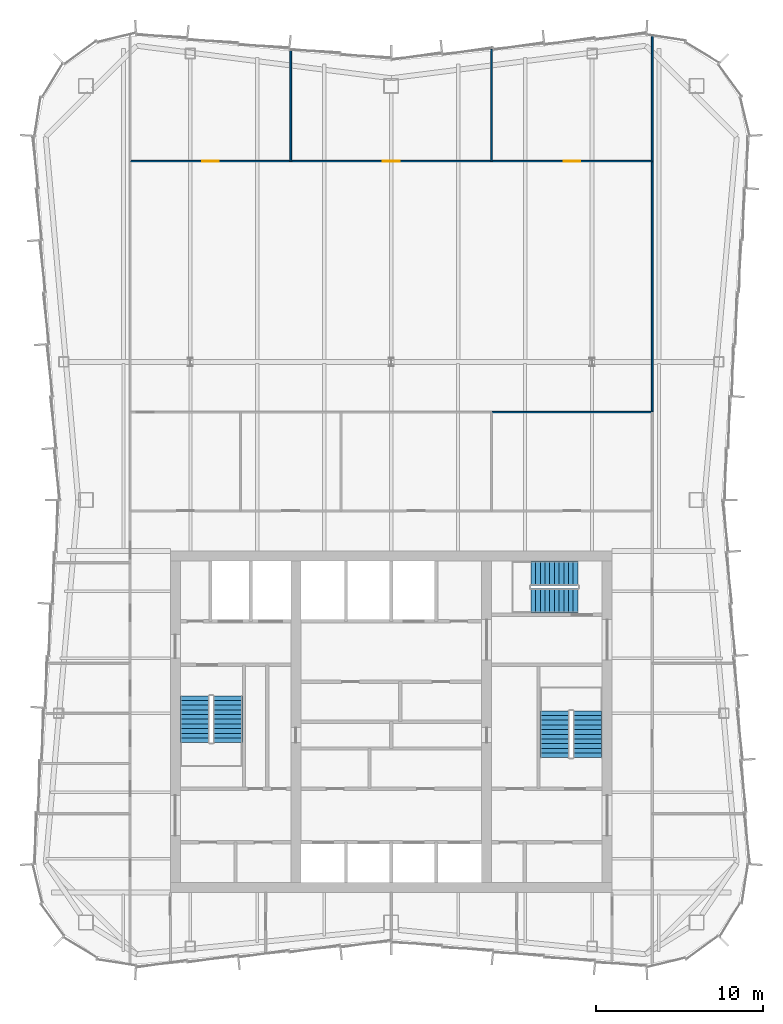
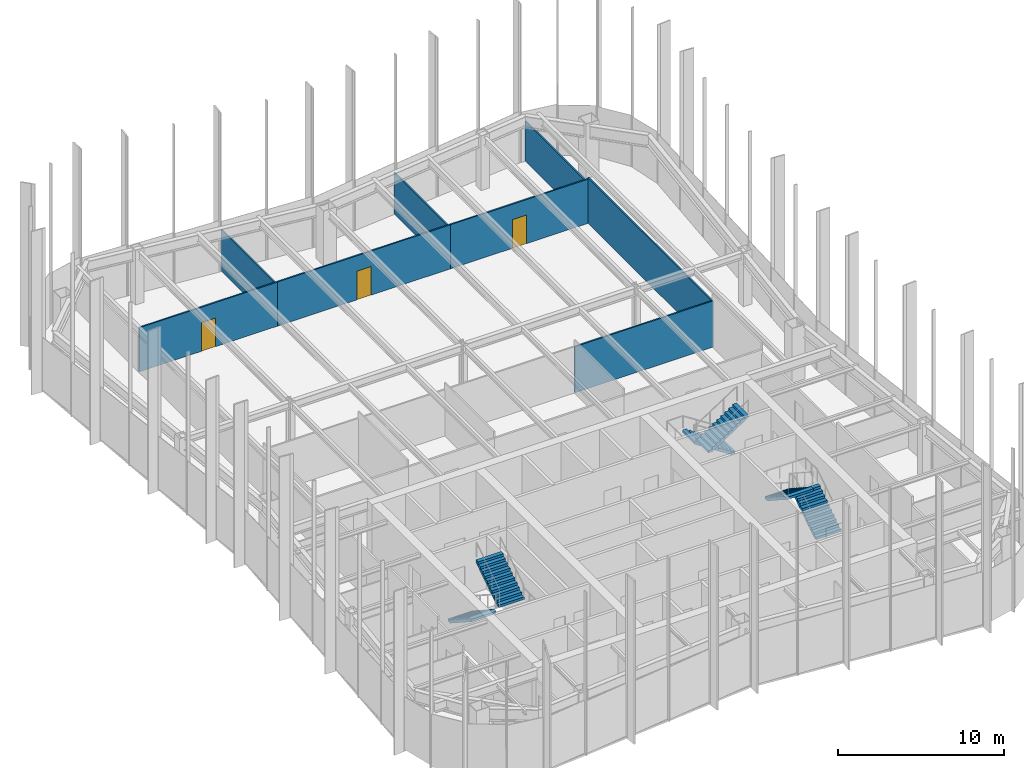
# One storey, part 12 of 13: 8 walls, 6 stair flights, 3 doors, 3 openings, 3 elements without a shape of their own.
"""IFC4 building model written with IfcOpenShell, lengths in metres."""

from ifc_helpers import new_model, si_unit, direction, frame, frame_2d, origin, place, context, subcontext, project, spatial, polyline, rectangle, outline, extrude, material, layer, layer_set, type_object, element, fill, aggregate, save


model = new_model("IFC4")

# Units and contexts
model_context = context("Model", 3, precision=1e-05, world=origin(), true_north=direction((0.0, 1.0)))
body_context = subcontext(model_context, "Body", "Model", "MODEL_VIEW")
ifc_project = project(units=[si_unit("LENGTHUNIT", "METRE"), si_unit("AREAUNIT", "SQUARE_METRE"), si_unit("VOLUMEUNIT", "CUBIC_METRE"), si_unit("PLANEANGLEUNIT", "RADIAN"), si_unit("MASSUNIT", "GRAM", prefix="KILO")], contexts=[model_context])

# Site, building, storey
site_placement = place(None, origin())
site = spatial("IfcSite", under=ifc_project, at=site_placement, CompositionType="ELEMENT")
building_placement = place(site_placement, origin())
building = spatial("IfcBuilding", under=site, at=building_placement, Name="Verdant Reach Tower", CompositionType="ELEMENT")
storey_placement = place(building_placement, frame((0.0, 0.0, 318.0)))
storey = spatial("IfcBuildingStorey", under=building, at=storey_placement, Name="L73", CompositionType="ELEMENT", Elevation=318.0)

# Walls
ifc_material_1 = material(Name="Gypsum board on steel studs", Category="steel")
ifc_layer = layer(ifc_material_1, 0.10009765625)
ifc_layer_set = layer_set([ifc_layer], Name="FL-W1 Partition 100")
wall_type = type_object("IfcWallType", Name="FL-W1 Partition 100", PredefinedType="PARTITIONING", material=ifc_layer_set)
wall_1_placement = place(storey_placement, frame((15.60009765625, 61.5, 0.0), z_axis=(0.0, 0.0, 1.0), x_axis=(0.0, -1.0, 0.0)))
element("IfcWall", 1, at=wall_1_placement, inside=storey, type_object=wall_type, Name="Partition 73.27", PredefinedType="PARTITIONING", context=body_context, shape_type="SweptSolid", body=[
    extrude(rectangle(XDim=15.0, YDim=0.10009765625, at=frame_2d((7.5, 0.0))), origin(), (0.0, 0.0, 1.0), 3.35009765625),
])
wall_2_placement = place(storey_placement, frame((15.60009765625, 69.010498046875, 0.0), z_axis=(0.0, 0.0, 1.0), x_axis=(0.0, -1.0, 0.0)))
element("IfcWall", 2, at=wall_2_placement, inside=storey, type_object=wall_type, Name="Partition 73.28", PredefinedType="PARTITIONING", context=body_context, shape_type="SweptSolid", body=[
    extrude(rectangle(XDim=7.510498046875, YDim=0.10009765625, at=frame_2d((3.75537109375, 0.0))), origin(), (0.0, 0.0, 1.0), 2.929931640625),
])
wall_3_placement = place(storey_placement, frame((15.60009765625, 46.5, 0.0), z_axis=(0.0, 0.0, 1.0), x_axis=(-1.0, 0.0, 0.0)))
element("IfcWall", 3, at=wall_3_placement, inside=storey, type_object=wall_type, Name="Partition 73.38", PredefinedType="PARTITIONING", context=body_context, shape_type="SweptSolid", body=[
    extrude(rectangle(XDim=9.60400390625, YDim=0.10009765625, at=frame_2d((4.802001953125, 0.0))), origin(), (0.0, 0.0, 1.0), 3.389892578125),
])

# Wall, opening, door
wall_4_placement = place(storey_placement, frame((-15.60009765625, 61.5, 0.0), z_axis=(0.0, 0.0, 1.0), x_axis=(1.0, 0.0, 0.0)))
wall_4 = element("IfcWall", 4, at=wall_4_placement, inside=storey, type_object=wall_type, Name="Partition 73.39", PredefinedType="PARTITIONING", context=body_context, shape_type="SweptSolid", body=[
    extrude(rectangle(XDim=9.60009765625, YDim=0.10009765625, at=frame_2d((4.800048828125, 0.0))), origin(), (0.0, 0.0, 1.0), 3.239990234375),
])
opening_1_placement = place(wall_4_placement, frame((4.300048828125, 0.0, 0.0)))
opening_1 = element("IfcOpeningElement", 5, at=opening_1_placement, cuts=wall_4, Name="Opening D3", PredefinedType="OPENING", context=body_context, shape_type="SweptSolid", body=[
    extrude(rectangle(XDim=1.0, YDim=2.10009765625, at=frame_2d((0.5, 1.050048828125))), frame((0.0, 0.06005859375, 0.0), z_axis=(0.0, -1.0, 0.0), x_axis=(1.0, 0.0, 0.0)), (0.0, 0.0, 1.0), 0.1201171875),
])
ifc_material_2 = material(Name="Painted timber door leaf", Category="wood")
door_type = type_object("IfcDoorType", Name="FL-D3 Door 1000x2100", OperationType="NOTDEFINED", PredefinedType="DOOR", material=ifc_material_2)
door_1_placement = place(opening_1_placement, origin())
door_1 = element("IfcDoor", 6, at=door_1_placement, inside=storey, type_object=door_type, Name="Door 73-019", OperationType="SINGLE_SWING_LEFT", OverallHeight=2.10009765625, OverallWidth=1.0, PredefinedType="DOOR", context=body_context, shape_type="SweptSolid", body=[
    extrude(rectangle(XDim=1.0, YDim=2.10009765625, at=frame_2d((0.5, 1.050048828125))), frame((0.0, 0.02490234375, 0.0), z_axis=(0.0, -1.0, 0.0), x_axis=(1.0, 0.0, 0.0)), (0.0, 0.0, 1.0), 0.050048828125),
])
fill(opening_1, door_1)

wall_5_placement = place(storey_placement, frame((-6.0, 61.5, 0.0), z_axis=(0.0, 0.0, 1.0), x_axis=(1.0, 0.0, 0.0)))
wall_5 = element("IfcWall", 7, at=wall_5_placement, inside=storey, type_object=wall_type, Name="Partition 73.40", PredefinedType="PARTITIONING", context=body_context, shape_type="SweptSolid", body=[
    extrude(rectangle(XDim=12.0, YDim=0.10009765625, at=frame_2d((6.0, 0.0))), origin(), (0.0, 0.0, 1.0), 3.239990234375),
])
opening_2_placement = place(wall_5_placement, frame((5.5, 0.0, 0.0)))
opening_2 = element("IfcOpeningElement", 8, at=opening_2_placement, cuts=wall_5, Name="Opening D3", PredefinedType="OPENING", context=body_context, shape_type="SweptSolid", body=[
    extrude(rectangle(XDim=1.0, YDim=2.10009765625, at=frame_2d((0.5, 1.050048828125))), frame((0.0, 0.06005859375, 0.0), z_axis=(0.0, -1.0, 0.0), x_axis=(1.0, 0.0, 0.0)), (0.0, 0.0, 1.0), 0.1201171875),
])
door_2_placement = place(opening_2_placement, origin())
door_2 = element("IfcDoor", 9, at=door_2_placement, inside=storey, type_object=door_type, Name="Door 73-020", OperationType="SINGLE_SWING_RIGHT", OverallHeight=2.10009765625, OverallWidth=1.0, PredefinedType="DOOR", context=body_context, shape_type="SweptSolid", body=[
    extrude(rectangle(XDim=1.0, YDim=2.10009765625, at=frame_2d((0.5, 1.050048828125))), frame((0.0, 0.02490234375, 0.0), z_axis=(0.0, -1.0, 0.0), x_axis=(1.0, 0.0, 0.0)), (0.0, 0.0, 1.0), 0.050048828125),
])
fill(opening_2, door_2)

wall_6_placement = place(storey_placement, frame((6.0, 61.5, 0.0), z_axis=(0.0, 0.0, 1.0), x_axis=(1.0, 0.0, 0.0)))
wall_6 = element("IfcWall", 10, at=wall_6_placement, inside=storey, type_object=wall_type, Name="Partition 73.41", PredefinedType="PARTITIONING", context=body_context, shape_type="SweptSolid", body=[
    extrude(rectangle(XDim=9.60009765625, YDim=0.10009765625, at=frame_2d((4.800048828125, 0.0))), origin(), (0.0, 0.0, 1.0), 3.239990234375),
])
opening_3_placement = place(wall_6_placement, frame((4.300048828125, 0.0, 0.0)))
opening_3 = element("IfcOpeningElement", 11, at=opening_3_placement, cuts=wall_6, Name="Opening D3", PredefinedType="OPENING", context=body_context, shape_type="SweptSolid", body=[
    extrude(rectangle(XDim=1.0, YDim=2.10009765625, at=frame_2d((0.5, 1.050048828125))), frame((0.0, 0.06005859375, 0.0), z_axis=(0.0, -1.0, 0.0), x_axis=(1.0, 0.0, 0.0)), (0.0, 0.0, 1.0), 0.1201171875),
])
door_3_placement = place(opening_3_placement, origin())
door_3 = element("IfcDoor", 12, at=door_3_placement, inside=storey, type_object=door_type, Name="Door 73-021", OperationType="SINGLE_SWING_LEFT", OverallHeight=2.10009765625, OverallWidth=1.0, PredefinedType="DOOR", context=body_context, shape_type="SweptSolid", body=[
    extrude(rectangle(XDim=1.0, YDim=2.10009765625, at=frame_2d((0.5, 1.050048828125))), frame((0.0, 0.02490234375, 0.0), z_axis=(0.0, -1.0, 0.0), x_axis=(1.0, 0.0, 0.0)), (0.0, 0.0, 1.0), 0.050048828125),
])
fill(opening_3, door_3)

# Walls
for number, where, z_axis, x_axis, name in (
    (13, (-6.0, 61.5, 0.0), (0.0, 0.0, 1.0), (0.0, 1.0, 0.0), "Partition 73.42"),
    (14, (6.0, 61.5, 0.0), (0.0, 0.0, 1.0), (0.0, 1.0, 0.0), "Partition 73.43"),
):
    element("IfcWall", number, at=place(storey_placement, frame(where, z_axis=z_axis, x_axis=x_axis)), inside=storey, type_object=wall_type, Name=name, PredefinedType="PARTITIONING", context=body_context, shape_type="SweptSolid", body=[
        extrude(rectangle(XDim=6.670166015625, YDim=0.10009765625, at=frame_2d((3.3349609375, 0.0))), origin(), (0.0, 0.0, 1.0), 3.0400390625),
    ])

# Stair, stair flights
ifc_material_3 = material(Name="Concrete C40/50", Category="concrete")
stair_type = type_object("IfcStairType", Name="CO-STAIR", PredefinedType="HALF_TURN_STAIR", material=ifc_material_3)
stair_1_placement = place(storey_placement, origin())
stair_1 = element("IfcStair", 15, at=stair_1_placement, inside=storey, type_object=stair_type, Name="L73 Exit stair 1", PredefinedType="HALF_TURN_STAIR")
stair_flight_type = type_object("IfcStairFlightType", Name="CO-STAIR-FLIGHT", PredefinedType="STRAIGHT", material=ifc_material_3)
stair_flight_1_placement = place(storey_placement, frame((-11.72509765625, 29.550048828125, 0.0), z_axis=(0.0, 0.0, 1.0), x_axis=(0.0, -1.0, 0.0)))
stair_flight_1 = element("IfcStairFlight", 16, at=stair_flight_1_placement, type_object=stair_flight_type, Name="ST-1 flight 1", NumberOfRisers=11, NumberOfTreads=10, PredefinedType="STRAIGHT", RiserHeight=0.181818182, TreadLength=0.28, context=body_context, shape_type="SweptSolid", body=[
    extrude(outline(polyline([(0.0, 0.0), (0.0, 0.181884765625), (0.280029296875, 0.181884765625), (0.280029296875, 0.363525390625), (0.56005859375, 0.363525390625), (0.56005859375, 0.54541015625), (0.840087890625, 0.54541015625), (0.840087890625, 0.727294921875), (1.1201171875, 0.727294921875), (1.1201171875, 0.9091796875), (1.39990234375, 0.9091796875), (1.39990234375, 1.0908203125), (1.679931640625, 1.0908203125), (1.679931640625, 1.272705078125), (1.9599609375, 1.272705078125), (1.9599609375, 1.45458984375), (2.239990234375, 1.45458984375), (2.239990234375, 1.636474609375), (2.52001953125, 1.636474609375), (2.52001953125, 1.818115234375), (2.800048828125, 1.818115234375), (2.800048828125, 2.0), (2.800048828125, 1.639404296875), (0.275146484375, 0.0), (0.0, 0.0)])), frame((0.0, 0.875, 0.0), z_axis=(0.0, -1.0, 0.0), x_axis=(1.0, 0.0, 0.0)), (0.0, 0.0, 1.0), 1.75),
])
stair_flight_2_placement = place(storey_placement, frame((-9.77490234375, 26.75, 2.0), z_axis=(0.0, 0.0, 1.0), x_axis=(0.0, 1.0, 0.0)))
stair_flight_2 = element("IfcStairFlight", 17, at=stair_flight_2_placement, type_object=stair_flight_type, Name="ST-1 flight 2", NumberOfRisers=11, NumberOfTreads=10, PredefinedType="STRAIGHT", RiserHeight=0.181818182, TreadLength=0.28, context=body_context, shape_type="SweptSolid", body=[
    extrude(outline(polyline([(0.0, 0.0), (0.0, 0.181884765625), (0.280029296875, 0.181884765625), (0.280029296875, 0.363525390625), (0.56005859375, 0.363525390625), (0.56005859375, 0.54541015625), (0.840087890625, 0.54541015625), (0.840087890625, 0.727294921875), (1.1201171875, 0.727294921875), (1.1201171875, 0.9091796875), (1.39990234375, 0.9091796875), (1.39990234375, 1.0908203125), (1.679931640625, 1.0908203125), (1.679931640625, 1.272705078125), (1.9599609375, 1.272705078125), (1.9599609375, 1.45458984375), (2.239990234375, 1.45458984375), (2.239990234375, 1.636474609375), (2.52001953125, 1.636474609375), (2.52001953125, 1.818115234375), (2.800048828125, 1.818115234375), (2.800048828125, 2.0), (2.800048828125, 1.639404296875), (0.275146484375, 0.0), (0.0, 0.0)])), frame((0.0, 0.875, 0.0), z_axis=(0.0, -1.0, 0.0), x_axis=(1.0, 0.0, 0.0)), (0.0, 0.0, 1.0), 1.75),
])
aggregate(stair_1, [stair_flight_1, stair_flight_2])

stair_2_placement = place(storey_placement, origin())
stair_2 = element("IfcStair", 18, at=stair_2_placement, inside=storey, type_object=stair_type, Name="L73 Exit stair 2", PredefinedType="HALF_TURN_STAIR")
stair_flight_3_placement = place(storey_placement, frame((11.72509765625, 25.85009765625, 0.0), z_axis=(0.0, 0.0, 1.0), x_axis=(0.0, 1.0, 0.0)))
stair_flight_3 = element("IfcStairFlight", 19, at=stair_flight_3_placement, type_object=stair_flight_type, Name="ST-2 flight 1", NumberOfRisers=11, NumberOfTreads=10, PredefinedType="STRAIGHT", RiserHeight=0.181818182, TreadLength=0.28, context=body_context, shape_type="SweptSolid", body=[
    extrude(outline(polyline([(0.0, 0.0), (0.0, 0.181884765625), (0.280029296875, 0.181884765625), (0.280029296875, 0.363525390625), (0.56005859375, 0.363525390625), (0.56005859375, 0.54541015625), (0.840087890625, 0.54541015625), (0.840087890625, 0.727294921875), (1.1201171875, 0.727294921875), (1.1201171875, 0.9091796875), (1.39990234375, 0.9091796875), (1.39990234375, 1.0908203125), (1.679931640625, 1.0908203125), (1.679931640625, 1.272705078125), (1.9599609375, 1.272705078125), (1.9599609375, 1.45458984375), (2.239990234375, 1.45458984375), (2.239990234375, 1.636474609375), (2.52001953125, 1.636474609375), (2.52001953125, 1.818115234375), (2.800048828125, 1.818115234375), (2.800048828125, 2.0), (2.800048828125, 1.639404296875), (0.275146484375, 0.0), (0.0, 0.0)])), frame((0.0, 0.875, 0.0), z_axis=(0.0, -1.0, 0.0), x_axis=(1.0, 0.0, 0.0)), (0.0, 0.0, 1.0), 1.75),
])
stair_flight_4_placement = place(storey_placement, frame((9.77490234375, 28.64990234375, 2.0), z_axis=(0.0, 0.0, 1.0), x_axis=(0.0, -1.0, 0.0)))
stair_flight_4 = element("IfcStairFlight", 20, at=stair_flight_4_placement, type_object=stair_flight_type, Name="ST-2 flight 2", NumberOfRisers=11, NumberOfTreads=10, PredefinedType="STRAIGHT", RiserHeight=0.181818182, TreadLength=0.28, context=body_context, shape_type="SweptSolid", body=[
    extrude(outline(polyline([(0.0, 0.0), (0.0, 0.181884765625), (0.280029296875, 0.181884765625), (0.280029296875, 0.363525390625), (0.56005859375, 0.363525390625), (0.56005859375, 0.54541015625), (0.840087890625, 0.54541015625), (0.840087890625, 0.727294921875), (1.1201171875, 0.727294921875), (1.1201171875, 0.9091796875), (1.39990234375, 0.9091796875), (1.39990234375, 1.0908203125), (1.679931640625, 1.0908203125), (1.679931640625, 1.272705078125), (1.9599609375, 1.272705078125), (1.9599609375, 1.45458984375), (2.239990234375, 1.45458984375), (2.239990234375, 1.636474609375), (2.52001953125, 1.636474609375), (2.52001953125, 1.818115234375), (2.800048828125, 1.818115234375), (2.800048828125, 2.0), (2.800048828125, 1.639404296875), (0.275146484375, 0.0), (0.0, 0.0)])), frame((0.0, 0.875, 0.0), z_axis=(0.0, -1.0, 0.0), x_axis=(1.0, 0.0, 0.0)), (0.0, 0.0, 1.0), 1.75),
])
aggregate(stair_2, [stair_flight_3, stair_flight_4])

stair_3_placement = place(storey_placement, origin())
stair_3 = element("IfcStair", 21, at=stair_3_placement, inside=storey, type_object=stair_type, Name="L73 Exit stair 3", PredefinedType="HALF_TURN_STAIR")
stair_flight_5_placement = place(storey_placement, frame((11.14990234375, 36.875, 0.0), z_axis=(0.0, 0.0, 1.0), x_axis=(-1.0, 0.0, 0.0)))
stair_flight_5 = element("IfcStairFlight", 22, at=stair_flight_5_placement, type_object=stair_flight_type, Name="ST-3 flight 1", NumberOfRisers=11, NumberOfTreads=10, PredefinedType="STRAIGHT", RiserHeight=0.181818182, TreadLength=0.28, context=body_context, shape_type="SweptSolid", body=[
    extrude(outline(polyline([(0.0, 0.0), (0.0, 0.181884765625), (0.280029296875, 0.181884765625), (0.280029296875, 0.363525390625), (0.56005859375, 0.363525390625), (0.56005859375, 0.54541015625), (0.840087890625, 0.54541015625), (0.840087890625, 0.727294921875), (1.1201171875, 0.727294921875), (1.1201171875, 0.9091796875), (1.39990234375, 0.9091796875), (1.39990234375, 1.0908203125), (1.679931640625, 1.0908203125), (1.679931640625, 1.272705078125), (1.9599609375, 1.272705078125), (1.9599609375, 1.45458984375), (2.239990234375, 1.45458984375), (2.239990234375, 1.636474609375), (2.52001953125, 1.636474609375), (2.52001953125, 1.818115234375), (2.800048828125, 1.818115234375), (2.800048828125, 2.0), (2.800048828125, 1.639404296875), (0.275146484375, 0.0), (0.0, 0.0)])), frame((0.0, 0.72509765625, 0.0), z_axis=(0.0, -1.0, 0.0), x_axis=(1.0, 0.0, 0.0)), (0.0, 0.0, 1.0), 1.449951171875),
])
stair_flight_6_placement = place(storey_placement, frame((8.35009765625, 35.22509765625, 2.0), z_axis=(0.0, 0.0, 1.0), x_axis=(1.0, 0.0, 0.0)))
stair_flight_6 = element("IfcStairFlight", 23, at=stair_flight_6_placement, type_object=stair_flight_type, Name="ST-3 flight 2", NumberOfRisers=11, NumberOfTreads=10, PredefinedType="STRAIGHT", RiserHeight=0.181818182, TreadLength=0.28, context=body_context, shape_type="SweptSolid", body=[
    extrude(outline(polyline([(0.0, 0.0), (0.0, 0.181884765625), (0.280029296875, 0.181884765625), (0.280029296875, 0.363525390625), (0.56005859375, 0.363525390625), (0.56005859375, 0.54541015625), (0.840087890625, 0.54541015625), (0.840087890625, 0.727294921875), (1.1201171875, 0.727294921875), (1.1201171875, 0.9091796875), (1.39990234375, 0.9091796875), (1.39990234375, 1.0908203125), (1.679931640625, 1.0908203125), (1.679931640625, 1.272705078125), (1.9599609375, 1.272705078125), (1.9599609375, 1.45458984375), (2.239990234375, 1.45458984375), (2.239990234375, 1.636474609375), (2.52001953125, 1.636474609375), (2.52001953125, 1.818115234375), (2.800048828125, 1.818115234375), (2.800048828125, 2.0), (2.800048828125, 1.639404296875), (0.275146484375, 0.0), (0.0, 0.0)])), frame((0.0, 0.72509765625, 0.0), z_axis=(0.0, -1.0, 0.0), x_axis=(1.0, 0.0, 0.0)), (0.0, 0.0, 1.0), 1.449951171875),
])
aggregate(stair_3, [stair_flight_5, stair_flight_6])

save(model, "model.ifc")
